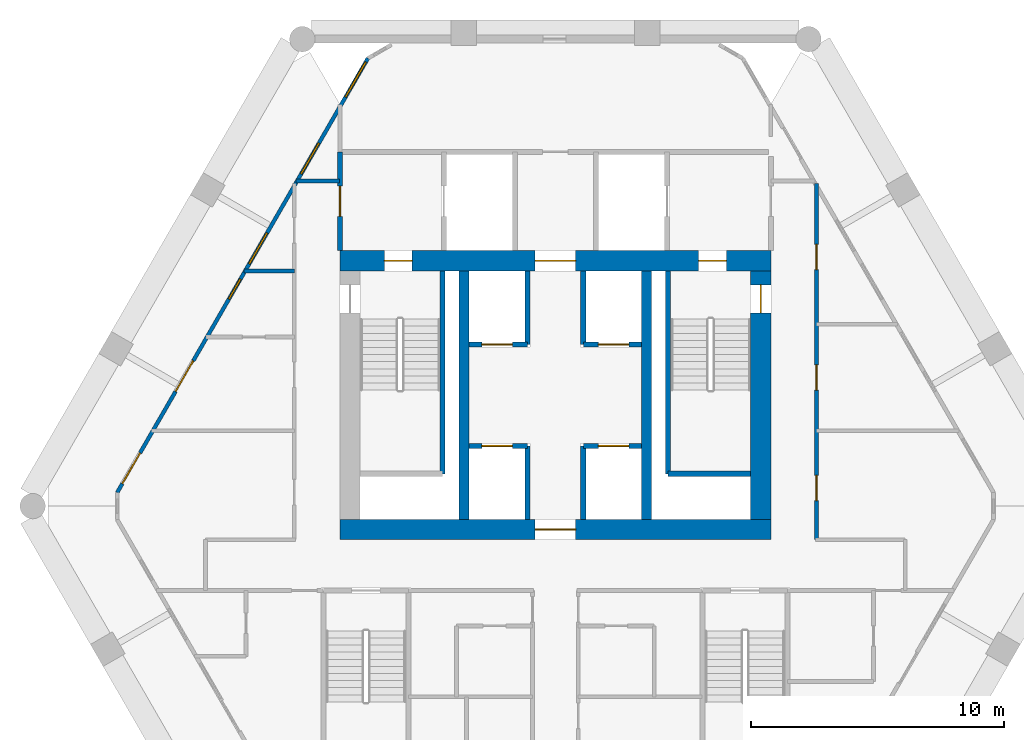
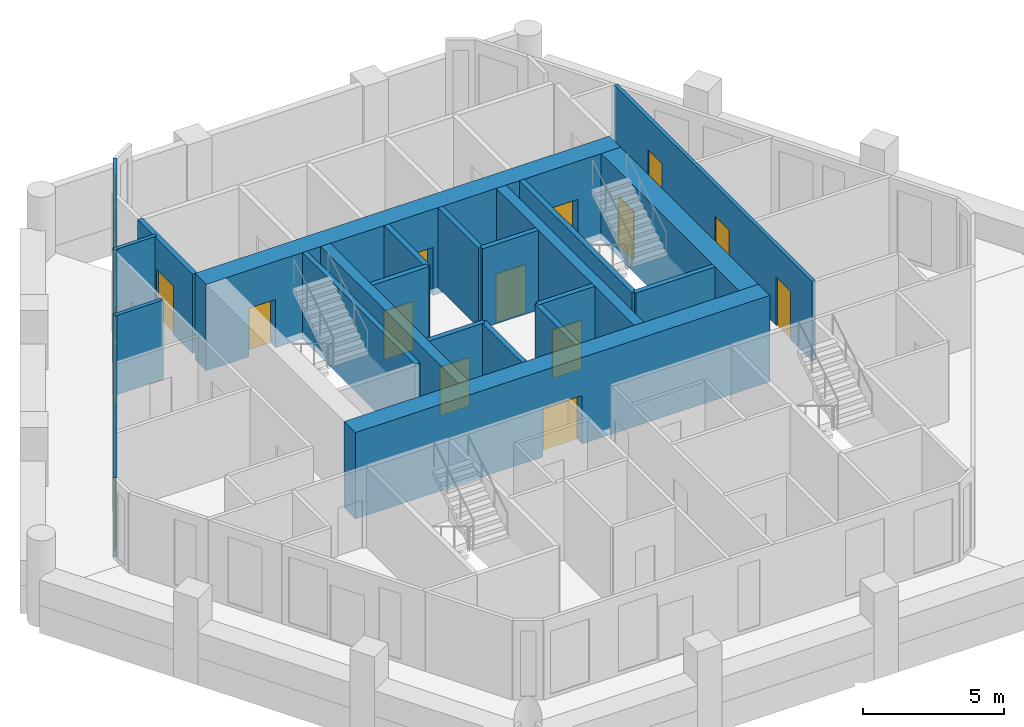
# One storey, part 4 of 7: 21 walls, 15 doors, 4 windows, 19 openings.
"""IFC4 building model written with IfcOpenShell, lengths in metres."""

from ifc_helpers import new_model, si_unit, direction, frame, frame_2d, origin, place, context, subcontext, project, spatial, rectangle, extrude, material, layer, layer_set, type_object, element, fill, save


model = new_model("IFC4")

# Units and contexts
model_context = context("Model", 3, precision=1e-05, world=origin(), true_north=direction((0.0, 1.0)))
body_context = subcontext(model_context, "Body", "Model", "MODEL_VIEW")
ifc_project = project(units=[si_unit("LENGTHUNIT", "METRE"), si_unit("AREAUNIT", "SQUARE_METRE"), si_unit("VOLUMEUNIT", "CUBIC_METRE"), si_unit("PLANEANGLEUNIT", "RADIAN"), si_unit("MASSUNIT", "GRAM", prefix="KILO")], contexts=[model_context])

# Site, building, storey
site_placement = place(None, origin())
site = spatial("IfcSite", under=ifc_project, at=site_placement, CompositionType="ELEMENT")
building_placement = place(site_placement, origin())
building = spatial("IfcBuilding", under=site, at=building_placement, Name="Ostrander Bayou Hotel Tower", CompositionType="ELEMENT")
storey_placement = place(building_placement, frame((0.0, 0.0, 172.0)))
storey = spatial("IfcBuildingStorey", under=building, at=storey_placement, Name="L42", CompositionType="ELEMENT", Elevation=172.0)

# Wall, opening, door
ifc_material_1 = material(Name="Concrete f'c 60 MPa", Category="concrete")
ifc_layer_1 = layer(ifc_material_1, 0.800048828125)
ifc_layer_set_1 = layer_set([ifc_layer_1], Name="CW7 core wall 800 mm f'c 60 MPa")
wall_type_1 = type_object("IfcWallType", Name="CW7 core wall 800 mm f'c 60 MPa", PredefinedType="SHEAR", material=ifc_layer_set_1)
wall_1_placement = place(storey_placement, frame((-8.5, -1.300048828125, -0.300048828125), z_axis=(0.0, 0.0, 1.0), x_axis=(1.0, 0.0, 0.0)))
wall_1 = element("IfcWall", 1, at=wall_1_placement, inside=storey, type_object=wall_type_1, Name="CW7 L42 S", PredefinedType="SHEAR", context=body_context, shape_type="SweptSolid", body=[
    extrude(rectangle(XDim=17.0, YDim=0.800048828125, at=frame_2d((8.5, 0.0))), origin(), (0.0, 0.0, 1.0), 3.75),
])
opening_1_placement = place(wall_1_placement, frame((7.699951171875, 0.0, 0.0)))
opening_1 = element("IfcOpeningElement", 2, at=opening_1_placement, cuts=wall_1, Name="Opening T41-005", PredefinedType="OPENING", context=body_context, shape_type="SweptSolid", body=[
    extrude(rectangle(XDim=1.60009765625, YDim=2.10009765625, at=frame_2d((0.800048828125, 1.050048828125))), frame((0.0, 0.39990234375, 0.0), z_axis=(0.0, -1.0, 0.0), x_axis=(1.0, 0.0, 0.0)), (0.0, 0.0, 1.0), 0.800048828125),
])
ifc_material_2 = material(Name="Timber door leaf", Category="wood")
door_type_1 = type_object("IfcDoorType", Name="D13 double door 1600 x 2100 mm, 1 hour", OperationType="SINGLE_SWING_LEFT", PredefinedType="DOOR", material=ifc_material_2)
door_1_placement = place(opening_1_placement, origin())
door_1 = element("IfcDoor", 3, at=door_1_placement, inside=storey, type_object=door_type_1, Name="dr:L42:005", OperationType="DOUBLE_DOOR_SINGLE_SWING", OverallHeight=2.10009765625, OverallWidth=1.60009765625, PredefinedType="DOOR", context=body_context, shape_type="SweptSolid", body=[
    extrude(rectangle(XDim=1.60009765625, YDim=2.10009765625, at=frame_2d((0.800048828125, 1.050048828125))), frame((0.0, 0.02490234375, 0.0), z_axis=(0.0, -1.0, 0.0), x_axis=(1.0, 0.0, 0.0)), (0.0, 0.0, 1.0), 0.050048828125),
])
fill(opening_1, door_1)

# Wall, openings, doors
wall_2_placement = place(storey_placement, frame((-8.5, 9.300048828125, -0.300048828125), z_axis=(0.0, 0.0, 1.0), x_axis=(1.0, 0.0, 0.0)))
wall_2 = element("IfcWall", 4, at=wall_2_placement, inside=storey, type_object=wall_type_1, Name="CW7 L42 N", PredefinedType="SHEAR", context=body_context, shape_type="SweptSolid", body=[
    extrude(rectangle(XDim=17.0, YDim=0.800048828125, at=frame_2d((8.5, 0.0))), origin(), (0.0, 0.0, 1.0), 3.75),
])
opening_2_placement = place(wall_2_placement, frame((7.699951171875, 0.0, 0.0)))
opening_2 = element("IfcOpeningElement", 5, at=opening_2_placement, cuts=wall_2, Name="Opening T41-006", PredefinedType="OPENING", context=body_context, shape_type="SweptSolid", body=[
    extrude(rectangle(XDim=1.60009765625, YDim=2.10009765625, at=frame_2d((0.800048828125, 1.050048828125))), frame((0.0, 0.39990234375, 0.0), z_axis=(0.0, -1.0, 0.0), x_axis=(1.0, 0.0, 0.0)), (0.0, 0.0, 1.0), 0.800048828125),
])
opening_3_placement = place(wall_2_placement, frame((1.75, 0.0, 0.0)))
opening_3 = element("IfcOpeningElement", 6, at=opening_3_placement, cuts=wall_2, Name="Opening T41-007", PredefinedType="OPENING", context=body_context, shape_type="SweptSolid", body=[
    extrude(rectangle(XDim=1.10009765625, YDim=2.10009765625, at=frame_2d((0.550048828125, 1.050048828125))), frame((0.0, 0.39990234375, 0.0), z_axis=(0.0, -1.0, 0.0), x_axis=(1.0, 0.0, 0.0)), (0.0, 0.0, 1.0), 0.800048828125),
])
opening_4_placement = place(wall_2_placement, frame((14.14990234375, 0.0, 0.0)))
opening_4 = element("IfcOpeningElement", 7, at=opening_4_placement, cuts=wall_2, Name="Opening T41-009", PredefinedType="OPENING", context=body_context, shape_type="SweptSolid", body=[
    extrude(rectangle(XDim=1.10009765625, YDim=2.10009765625, at=frame_2d((0.550048828125, 1.050048828125))), frame((0.0, 0.39990234375, 0.0), z_axis=(0.0, -1.0, 0.0), x_axis=(1.0, 0.0, 0.0)), (0.0, 0.0, 1.0), 0.800048828125),
])
door_2_placement = place(opening_2_placement, origin())
door_2 = element("IfcDoor", 8, at=door_2_placement, inside=storey, type_object=door_type_1, Name="dr:L42:006", OperationType="DOUBLE_DOOR_SINGLE_SWING", OverallHeight=2.10009765625, OverallWidth=1.60009765625, PredefinedType="DOOR", context=body_context, shape_type="SweptSolid", body=[
    extrude(rectangle(XDim=1.60009765625, YDim=2.10009765625, at=frame_2d((0.800048828125, 1.050048828125))), frame((0.0, 0.02490234375, 0.0), z_axis=(0.0, -1.0, 0.0), x_axis=(1.0, 0.0, 0.0)), (0.0, 0.0, 1.0), 0.050048828125),
])
fill(opening_2, door_2)
ifc_material_3 = material(Name="Timber door leaf", Category="wood")
door_type_2 = type_object("IfcDoorType", Name="D5 stair door 1100 x 2100 mm, 90 minute", OperationType="SINGLE_SWING_LEFT", PredefinedType="DOOR", material=ifc_material_3)
door_3_placement = place(opening_3_placement, origin())
door_3 = element("IfcDoor", 9, at=door_3_placement, inside=storey, type_object=door_type_2, Name="dr:L42:007", OperationType="SINGLE_SWING_LEFT", OverallHeight=2.10009765625, OverallWidth=1.10009765625, PredefinedType="DOOR", context=body_context, shape_type="SweptSolid", body=[
    extrude(rectangle(XDim=1.10009765625, YDim=2.10009765625, at=frame_2d((0.550048828125, 1.050048828125))), frame((0.0, 0.02490234375, 0.0), z_axis=(0.0, -1.0, 0.0), x_axis=(1.0, 0.0, 0.0)), (0.0, 0.0, 1.0), 0.050048828125),
])
fill(opening_3, door_3)
door_4_placement = place(opening_4_placement, origin())
door_4 = element("IfcDoor", 10, at=door_4_placement, inside=storey, type_object=door_type_2, Name="dr:L42:009", OperationType="SINGLE_SWING_RIGHT", OverallHeight=2.10009765625, OverallWidth=1.10009765625, PredefinedType="DOOR", context=body_context, shape_type="SweptSolid", body=[
    extrude(rectangle(XDim=1.10009765625, YDim=2.10009765625, at=frame_2d((0.550048828125, 1.050048828125))), frame((0.0, 0.02490234375, 0.0), z_axis=(0.0, -1.0, 0.0), x_axis=(1.0, 0.0, 0.0)), (0.0, 0.0, 1.0), 0.050048828125),
])
fill(opening_4, door_4)

# Wall, opening, door
ifc_material_4 = material(Name="Concrete f'c 60 MPa", Category="concrete")
ifc_layer_2 = layer(ifc_material_4, 0.800048828125)
ifc_layer_set_2 = layer_set([ifc_layer_2], Name="CW8 core spine wall 800 mm f'c 60 MPa")
wall_type_2 = type_object("IfcWallType", Name="CW8 core spine wall 800 mm f'c 60 MPa", PredefinedType="SHEAR", material=ifc_layer_set_2)
wall_3_placement = place(storey_placement, frame((8.10009765625, -0.89990234375, -0.300048828125), z_axis=(0.0, 0.0, 1.0), x_axis=(0.0, 1.0, 0.0)))
wall_3 = element("IfcWall", 11, at=wall_3_placement, inside=storey, type_object=wall_type_2, Name="CW8 L42 E", PredefinedType="SHEAR", context=body_context, shape_type="SweptSolid", body=[
    extrude(rectangle(XDim=9.7998046875, YDim=0.800048828125, at=frame_2d((4.89990234375, 0.0))), origin(), (0.0, 0.0, 1.0), 3.75),
])
opening_5_placement = place(wall_3_placement, frame((8.14990234375, 0.0, 0.0)))
opening_5 = element("IfcOpeningElement", 12, at=opening_5_placement, cuts=wall_3, Name="Opening T41-010", PredefinedType="OPENING", context=body_context, shape_type="SweptSolid", body=[
    extrude(rectangle(XDim=1.10009765625, YDim=2.10009765625, at=frame_2d((0.550048828125, 1.050048828125))), frame((0.0, 0.39990234375, 0.0), z_axis=(0.0, -1.0, 0.0), x_axis=(1.0, 0.0, 0.0)), (0.0, 0.0, 1.0), 0.800048828125),
])
door_5_placement = place(opening_5_placement, origin())
door_5 = element("IfcDoor", 13, at=door_5_placement, inside=storey, type_object=door_type_2, Name="dr:L42:010", OperationType="SINGLE_SWING_LEFT", OverallHeight=2.10009765625, OverallWidth=1.10009765625, PredefinedType="DOOR", context=body_context, shape_type="SweptSolid", body=[
    extrude(rectangle(XDim=1.10009765625, YDim=2.10009765625, at=frame_2d((0.550048828125, 1.050048828125))), frame((0.0, 0.02490234375, 0.0), z_axis=(0.0, -1.0, 0.0), x_axis=(1.0, 0.0, 0.0)), (0.0, 0.0, 1.0), 0.050048828125),
])
fill(opening_5, door_5)

# Walls
ifc_material_5 = material(Name="Concrete f'c 60 MPa", Category="concrete")
ifc_layer_3 = layer(ifc_material_5, 0.39990234375)
ifc_layer_set_3 = layer_set([ifc_layer_3], Name="CW9 core bank wall 400 mm f'c 60 MPa")
wall_type_3 = type_object("IfcWallType", Name="CW9 core bank wall 400 mm f'c 60 MPa", PredefinedType="SHEAR", material=ifc_layer_set_3)
for number, where, z_axis, x_axis, name in (
    (14, (-3.60009765625, -0.89990234375, -0.300048828125), (0.0, 0.0, 1.0), (0.0, 1.0, 0.0), "CW9 L42 CW"),
    (15, (3.60009765625, -0.89990234375, -0.300048828125), (0.0, 0.0, 1.0), (0.0, 1.0, 0.0), "CW9 L42 CE"),
):
    element("IfcWall", number, at=place(storey_placement, frame(where, z_axis=z_axis, x_axis=x_axis)), inside=storey, type_object=wall_type_3, Name=name, PredefinedType="SHEAR", context=body_context, shape_type="SweptSolid", body=[
        extrude(rectangle(XDim=9.7998046875, YDim=0.39990234375, at=frame_2d((4.89990234375, 0.0))), origin(), (0.0, 0.0, 1.0), 3.75),
    ])

# Wall, openings, doors, windows
ifc_material_6 = material(Name="Aluminium framed insulated wall", Category="aluminium")
ifc_layer_4 = layer(ifc_material_6, 0.14990234375)
ifc_layer_set_4 = layer_set([ifc_layer_4], Name="GW1 glass-line wall 150 mm")
wall_type_4 = type_object("IfcWallType", Name="GW1 glass-line wall 150 mm", PredefinedType="SOLIDWALL", material=ifc_layer_set_4)
wall_4_placement = place(storey_placement, frame((-7.392822265625, 17.29248046875, 0.0), z_axis=(0.0, 0.0, 1.0), x_axis=(-0.500001917853, -0.866024296509, 0.0)))
wall_4 = element("IfcWall", 16, at=wall_4_placement, inside=storey, type_object=wall_type_4, Name="GW1 L42 NW 1", PredefinedType="SOLIDWALL", context=body_context, shape_type="SweptSolid", body=[
    extrude(rectangle(XDim=19.78759765625, YDim=0.14990234375, at=frame_2d((9.893798828125, 0.0))), origin(), (0.0, 0.0, 1.0), 3.449951171875),
])
opening_6_placement = place(wall_4_placement, frame((3.867919921875, 0.0, 0.14990234375)))
opening_6 = element("IfcOpeningElement", 17, at=opening_6_placement, cuts=wall_4, Name="Opening W13", PredefinedType="OPENING", context=body_context, shape_type="SweptSolid", body=[
    extrude(rectangle(XDim=1.39990234375, YDim=2.85009765625, at=frame_2d((0.699951171875, 1.425048828125))), frame((0.0, 0.074951171875, 0.0), z_axis=(0.0, -1.0, 0.0), x_axis=(1.0, 0.0, 0.0)), (0.0, 0.0, 1.0), 0.14990234375),
])
opening_7_placement = place(wall_4_placement, frame((10.066650390625, 0.0, 0.14990234375)))
opening_7 = element("IfcOpeningElement", 18, at=opening_7_placement, cuts=wall_4, Name="Opening W17", PredefinedType="OPENING", context=body_context, shape_type="SweptSolid", body=[
    extrude(rectangle(XDim=0.89990234375, YDim=2.85009765625, at=frame_2d((0.449951171875, 1.425048828125))), frame((0.0, 0.074951171875, 0.0), z_axis=(0.0, -1.0, 0.0), x_axis=(1.0, 0.0, 0.0)), (0.0, 0.0, 1.0), 0.14990234375),
])
opening_8_placement = place(wall_4_placement, frame((7.966796875, 0.0, 0.14990234375)))
opening_8 = element("IfcOpeningElement", 19, at=opening_8_placement, cuts=wall_4, Name="Opening W13", PredefinedType="OPENING", context=body_context, shape_type="SweptSolid", body=[
    extrude(rectangle(XDim=1.39990234375, YDim=2.85009765625, at=frame_2d((0.699951171875, 1.425048828125))), frame((0.0, 0.074951171875, 0.0), z_axis=(0.0, -1.0, 0.0), x_axis=(1.0, 0.0, 0.0)), (0.0, 0.0, 1.0), 0.14990234375),
])
opening_9_placement = place(wall_4_placement, frame((13.779296875, 0.0, 0.0)))
opening_9 = element("IfcOpeningElement", 20, at=opening_9_placement, cuts=wall_4, Name="Opening T41-800", PredefinedType="OPENING", context=body_context, shape_type="SweptSolid", body=[
    extrude(rectangle(XDim=1.39990234375, YDim=2.39990234375, at=frame_2d((0.699951171875, 1.199951171875))), frame((0.0, 0.074951171875, 0.0), z_axis=(0.0, -1.0, 0.0), x_axis=(1.0, 0.0, 0.0)), (0.0, 0.0, 1.0), 0.14990234375),
])
opening_10_placement = place(wall_4_placement, frame((17.979248046875, 0.0, 0.0)))
opening_10 = element("IfcOpeningElement", 21, at=opening_10_placement, cuts=wall_4, Name="Opening T41-801", PredefinedType="OPENING", context=body_context, shape_type="SweptSolid", body=[
    extrude(rectangle(XDim=1.39990234375, YDim=2.39990234375, at=frame_2d((0.699951171875, 1.199951171875))), frame((0.0, 0.074951171875, 0.0), z_axis=(0.0, -1.0, 0.0), x_axis=(1.0, 0.0, 0.0)), (0.0, 0.0, 1.0), 0.14990234375),
])
opening_11_placement = place(wall_4_placement, frame((0.168212890625, 0.0, 0.14990234375)))
opening_11 = element("IfcOpeningElement", 22, at=opening_11_placement, cuts=wall_4, Name="Opening W3", PredefinedType="OPENING", context=body_context, shape_type="SweptSolid", body=[
    extrude(rectangle(XDim=1.60009765625, YDim=2.72998046875, at=frame_2d((0.800048828125, 1.364990234375))), frame((0.0, 0.074951171875, 0.0), z_axis=(0.0, -1.0, 0.0), x_axis=(1.0, 0.0, 0.0)), (0.0, 0.0, 1.0), 0.14990234375),
])
ifc_material_7 = material(Name="Aluminium and clear glass", Category="aluminium")
door_type_3 = type_object("IfcDoorType", Name="SD3 sliding glass door 1400 mm, zone 3", OperationType="SLIDING_TO_LEFT", PredefinedType="DOOR", material=ifc_material_7)
door_6_placement = place(opening_9_placement, origin())
door_6 = element("IfcDoor", 23, at=door_6_placement, inside=storey, type_object=door_type_3, Name="SD3 L42 NW 3", OperationType="SLIDING_TO_LEFT", OverallHeight=2.39990234375, OverallWidth=1.39990234375, PredefinedType="DOOR", context=body_context, shape_type="SweptSolid", body=[
    extrude(rectangle(XDim=1.39990234375, YDim=2.39990234375, at=frame_2d((0.699951171875, 1.199951171875))), frame((0.0, 0.02490234375, 0.0), z_axis=(0.0, -1.0, 0.0), x_axis=(1.0, 0.0, 0.0)), (0.0, 0.0, 1.0), 0.050048828125),
])
fill(opening_9, door_6)
door_7_placement = place(opening_10_placement, origin())
door_7 = element("IfcDoor", 24, at=door_7_placement, inside=storey, type_object=door_type_3, Name="SD3 L42 NW 4", OperationType="SLIDING_TO_RIGHT", OverallHeight=2.39990234375, OverallWidth=1.39990234375, PredefinedType="DOOR", context=body_context, shape_type="SweptSolid", body=[
    extrude(rectangle(XDim=1.39990234375, YDim=2.39990234375, at=frame_2d((0.699951171875, 1.199951171875))), frame((0.0, 0.02490234375, 0.0), z_axis=(0.0, -1.0, 0.0), x_axis=(1.0, 0.0, 0.0)), (0.0, 0.0, 1.0), 0.050048828125),
])
fill(opening_10, door_7)
ifc_material_8 = material(Name="Aluminium and clear glass", Category="aluminium")
window_type_1 = type_object("IfcWindowType", Name="W13 fixed window 1400 mm, bath bay, zone 3", PartitioningType="SINGLE_PANEL", PredefinedType="WINDOW", material=ifc_material_8)
window_1_placement = place(opening_6_placement, origin())
window_1 = element("IfcWindow", 25, at=window_1_placement, inside=storey, type_object=window_type_1, Name="W13 L42 NW 1", OverallHeight=2.85009765625, OverallWidth=1.39990234375, PartitioningType="SINGLE_PANEL", PredefinedType="WINDOW", context=body_context, shape_type="SweptSolid", body=[
    extrude(rectangle(XDim=1.39990234375, YDim=2.85009765625, at=frame_2d((0.699951171875, 1.425048828125))), frame((0.0, 0.030029296875, 0.0), z_axis=(0.0, -1.0, 0.0), x_axis=(1.0, 0.0, 0.0)), (0.0, 0.0, 1.0), 0.06005859375),
])
fill(opening_6, window_1)
window_2_placement = place(opening_8_placement, origin())
window_2 = element("IfcWindow", 26, at=window_2_placement, inside=storey, type_object=window_type_1, Name="W13 L42 NW 2", OverallHeight=2.85009765625, OverallWidth=1.39990234375, PartitioningType="SINGLE_PANEL", PredefinedType="WINDOW", context=body_context, shape_type="SweptSolid", body=[
    extrude(rectangle(XDim=1.39990234375, YDim=2.85009765625, at=frame_2d((0.699951171875, 1.425048828125))), frame((0.0, 0.030029296875, 0.0), z_axis=(0.0, -1.0, 0.0), x_axis=(1.0, 0.0, 0.0)), (0.0, 0.0, 1.0), 0.06005859375),
])
fill(opening_8, window_2)
ifc_material_9 = material(Name="Aluminium and clear glass", Category="aluminium")
window_type_2 = type_object("IfcWindowType", Name="W17 window 900 mm, zone 3", PartitioningType="SINGLE_PANEL", PredefinedType="WINDOW", material=ifc_material_9)
window_3_placement = place(opening_7_placement, origin())
window_3 = element("IfcWindow", 27, at=window_3_placement, inside=storey, type_object=window_type_2, Name="W17 L42 NW 2", OverallHeight=2.85009765625, OverallWidth=0.89990234375, PartitioningType="SINGLE_PANEL", PredefinedType="WINDOW", context=body_context, shape_type="SweptSolid", body=[
    extrude(rectangle(XDim=0.89990234375, YDim=2.85009765625, at=frame_2d((0.449951171875, 1.425048828125))), frame((0.0, 0.030029296875, 0.0), z_axis=(0.0, -1.0, 0.0), x_axis=(1.0, 0.0, 0.0)), (0.0, 0.0, 1.0), 0.06005859375),
])
fill(opening_7, window_3)
ifc_material_10 = material(Name="Aluminium and clear glass", Category="aluminium")
window_type_3 = type_object("IfcWindowType", Name="W3 fixed window 1600 mm, zone 3", PartitioningType="SINGLE_PANEL", PredefinedType="WINDOW", material=ifc_material_10)
window_4_placement = place(opening_11_placement, origin())
window_4 = element("IfcWindow", 28, at=window_4_placement, inside=storey, type_object=window_type_3, Name="W3 L42 NW E11", OverallHeight=2.72998046875, OverallWidth=1.60009765625, PartitioningType="SINGLE_PANEL", PredefinedType="WINDOW", context=body_context, shape_type="SweptSolid", body=[
    extrude(rectangle(XDim=1.60009765625, YDim=2.72998046875, at=frame_2d((0.800048828125, 1.364990234375))), frame((0.0, 0.030029296875, 0.0), z_axis=(0.0, -1.0, 0.0), x_axis=(1.0, 0.0, 0.0)), (0.0, 0.0, 1.0), 0.06005859375),
])
fill(opening_11, window_4)

# Wall, opening, door
ifc_material_11 = material(Name="Masonry block", Category="masonry")
ifc_layer_5 = layer(ifc_material_11, 0.199951171875)
ifc_layer_set_5 = layer_set([ifc_layer_5], Name="PT5 stair enclosure wall 200 mm masonry, 2 hour")
wall_type_5 = type_object("IfcWallType", Name="PT5 stair enclosure wall 200 mm masonry, 2 hour", PredefinedType="PARTITIONING", material=ifc_layer_set_5)
wall_5_placement = place(storey_placement, frame((-8.5, 9.699951171875, 0.0), z_axis=(0.0, 0.0, 1.0), x_axis=(0.0, 1.0, 0.0)))
wall_5 = element("IfcWall", 29, at=wall_5_placement, inside=storey, type_object=wall_type_5, Name="cs:L42:024", PredefinedType="PARTITIONING", context=body_context, shape_type="SweptSolid", body=[
    extrude(rectangle(XDim=3.900146484375, YDim=0.199951171875, at=frame_2d((1.9501953125, 0.0))), origin(), (0.0, 0.0, 1.0), 3.449951171875),
])
opening_12_placement = place(wall_5_placement, frame((1.35009765625, 0.0, 0.0)))
opening_12 = element("IfcOpeningElement", 30, at=opening_12_placement, cuts=wall_5, Name="Opening T41-014", PredefinedType="OPENING", context=body_context, shape_type="SweptSolid", body=[
    extrude(rectangle(XDim=1.199951171875, YDim=2.10009765625, at=frame_2d((0.60009765625, 1.050048828125))), frame((0.0, 0.10009765625, 0.0), z_axis=(0.0, -1.0, 0.0), x_axis=(1.0, 0.0, 0.0)), (0.0, 0.0, 1.0), 0.199951171875),
])
ifc_material_12 = material(Name="Timber door leaf", Category="wood")
door_type_4 = type_object("IfcDoorType", Name="D7 lobby door 1200 x 2100 mm, 1 hour", OperationType="SINGLE_SWING_LEFT", PredefinedType="DOOR", material=ifc_material_12)
door_8_placement = place(opening_12_placement, origin())
door_8 = element("IfcDoor", 31, at=door_8_placement, inside=storey, type_object=door_type_4, Name="dr:L42:014", OperationType="SINGLE_SWING_LEFT", OverallHeight=2.10009765625, OverallWidth=1.199951171875, PredefinedType="DOOR", context=body_context, shape_type="SweptSolid", body=[
    extrude(rectangle(XDim=1.199951171875, YDim=2.10009765625, at=frame_2d((0.60009765625, 1.050048828125))), frame((0.0, 0.02490234375, 0.0), z_axis=(0.0, -1.0, 0.0), x_axis=(1.0, 0.0, 0.0)), (0.0, 0.0, 1.0), 0.050048828125),
])
fill(opening_12, door_8)

ifc_material_13 = material(Name="Masonry block", Category="masonry")
ifc_layer_6 = layer(ifc_material_13, 0.199951171875)
ifc_layer_set_6 = layer_set([ifc_layer_6], Name="PT6 lift shaft wall 200 mm masonry, 2 hour")
wall_type_6 = type_object("IfcWallType", Name="PT6 lift shaft wall 200 mm masonry, 2 hour", PredefinedType="PARTITIONING", material=ifc_layer_set_6)
wall_6_placement = place(storey_placement, frame((-3.39990234375, 2.0, 0.0), z_axis=(0.0, 0.0, 1.0), x_axis=(1.0, 0.0, 0.0)))
wall_6 = element("IfcWall", 32, at=wall_6_placement, inside=storey, type_object=wall_type_6, Name="cs:L42:001", PredefinedType="PARTITIONING", context=body_context, shape_type="SweptSolid", body=[
    extrude(rectangle(XDim=2.2998046875, YDim=0.199951171875, at=frame_2d((1.14990234375, 0.0))), origin(), (0.0, 0.0, 1.0), 3.449951171875),
])
opening_13_placement = place(wall_6_placement, frame((0.5, 0.0, 0.0)))
opening_13 = element("IfcOpeningElement", 33, at=opening_13_placement, cuts=wall_6, Name="Opening T41-001", PredefinedType="OPENING", context=body_context, shape_type="SweptSolid", body=[
    extrude(rectangle(XDim=1.199951171875, YDim=2.10009765625, at=frame_2d((0.60009765625, 1.050048828125))), frame((0.0, 0.10009765625, 0.0), z_axis=(0.0, -1.0, 0.0), x_axis=(1.0, 0.0, 0.0)), (0.0, 0.0, 1.0), 0.199951171875),
])
ifc_material_14 = material(Name="Stainless steel sliding door", Category="steel")
door_type_5 = type_object("IfcDoorType", Name="LD1 lift landing door 1200 x 2100 mm", OperationType="SINGLE_SWING_LEFT", PredefinedType="DOOR", material=ifc_material_14)
door_9_placement = place(opening_13_placement, origin())
door_9 = element("IfcDoor", 34, at=door_9_placement, inside=storey, type_object=door_type_5, Name="dr:L42:001", OperationType="SLIDING_TO_LEFT", OverallHeight=2.10009765625, OverallWidth=1.199951171875, PredefinedType="DOOR", context=body_context, shape_type="SweptSolid", body=[
    extrude(rectangle(XDim=1.199951171875, YDim=2.10009765625, at=frame_2d((0.60009765625, 1.050048828125))), frame((0.0, 0.02490234375, 0.0), z_axis=(0.0, -1.0, 0.0), x_axis=(1.0, 0.0, 0.0)), (0.0, 0.0, 1.0), 0.050048828125),
])
fill(opening_13, door_9)

wall_7_placement = place(storey_placement, frame((-3.39990234375, 6.0, 0.0), z_axis=(0.0, 0.0, 1.0), x_axis=(1.0, 0.0, 0.0)))
wall_7 = element("IfcWall", 35, at=wall_7_placement, inside=storey, type_object=wall_type_6, Name="cs:L42:002", PredefinedType="PARTITIONING", context=body_context, shape_type="SweptSolid", body=[
    extrude(rectangle(XDim=2.2998046875, YDim=0.199951171875, at=frame_2d((1.14990234375, 0.0))), origin(), (0.0, 0.0, 1.0), 3.449951171875),
])
opening_14_placement = place(wall_7_placement, frame((0.5, 0.0, 0.0)))
opening_14 = element("IfcOpeningElement", 36, at=opening_14_placement, cuts=wall_7, Name="Opening T41-003", PredefinedType="OPENING", context=body_context, shape_type="SweptSolid", body=[
    extrude(rectangle(XDim=1.199951171875, YDim=2.10009765625, at=frame_2d((0.60009765625, 1.050048828125))), frame((0.0, 0.10009765625, 0.0), z_axis=(0.0, -1.0, 0.0), x_axis=(1.0, 0.0, 0.0)), (0.0, 0.0, 1.0), 0.199951171875),
])
door_10_placement = place(opening_14_placement, origin())
door_10 = element("IfcDoor", 37, at=door_10_placement, inside=storey, type_object=door_type_5, Name="dr:L42:003", OperationType="SLIDING_TO_LEFT", OverallHeight=2.10009765625, OverallWidth=1.199951171875, PredefinedType="DOOR", context=body_context, shape_type="SweptSolid", body=[
    extrude(rectangle(XDim=1.199951171875, YDim=2.10009765625, at=frame_2d((0.60009765625, 1.050048828125))), frame((0.0, 0.02490234375, 0.0), z_axis=(0.0, -1.0, 0.0), x_axis=(1.0, 0.0, 0.0)), (0.0, 0.0, 1.0), 0.050048828125),
])
fill(opening_14, door_10)

wall_8_placement = place(storey_placement, frame((1.10009765625, 2.0, 0.0), z_axis=(0.0, 0.0, 1.0), x_axis=(1.0, 0.0, 0.0)))
wall_8 = element("IfcWall", 38, at=wall_8_placement, inside=storey, type_object=wall_type_6, Name="cs:L42:003", PredefinedType="PARTITIONING", context=body_context, shape_type="SweptSolid", body=[
    extrude(rectangle(XDim=2.2998046875, YDim=0.199951171875, at=frame_2d((1.14990234375, 0.0))), origin(), (0.0, 0.0, 1.0), 3.449951171875),
])
opening_15_placement = place(wall_8_placement, frame((0.60009765625, 0.0, 0.0)))
opening_15 = element("IfcOpeningElement", 39, at=opening_15_placement, cuts=wall_8, Name="Opening T41-002", PredefinedType="OPENING", context=body_context, shape_type="SweptSolid", body=[
    extrude(rectangle(XDim=1.199951171875, YDim=2.10009765625, at=frame_2d((0.60009765625, 1.050048828125))), frame((0.0, 0.10009765625, 0.0), z_axis=(0.0, -1.0, 0.0), x_axis=(1.0, 0.0, 0.0)), (0.0, 0.0, 1.0), 0.199951171875),
])
door_11_placement = place(opening_15_placement, origin())
door_11 = element("IfcDoor", 40, at=door_11_placement, inside=storey, type_object=door_type_5, Name="dr:L42:002", OperationType="SLIDING_TO_LEFT", OverallHeight=2.10009765625, OverallWidth=1.199951171875, PredefinedType="DOOR", context=body_context, shape_type="SweptSolid", body=[
    extrude(rectangle(XDim=1.199951171875, YDim=2.10009765625, at=frame_2d((0.60009765625, 1.050048828125))), frame((0.0, 0.02490234375, 0.0), z_axis=(0.0, -1.0, 0.0), x_axis=(1.0, 0.0, 0.0)), (0.0, 0.0, 1.0), 0.050048828125),
])
fill(opening_15, door_11)

wall_9_placement = place(storey_placement, frame((1.10009765625, 6.0, 0.0), z_axis=(0.0, 0.0, 1.0), x_axis=(1.0, 0.0, 0.0)))
wall_9 = element("IfcWall", 41, at=wall_9_placement, inside=storey, type_object=wall_type_6, Name="cs:L42:004", PredefinedType="PARTITIONING", context=body_context, shape_type="SweptSolid", body=[
    extrude(rectangle(XDim=2.2998046875, YDim=0.199951171875, at=frame_2d((1.14990234375, 0.0))), origin(), (0.0, 0.0, 1.0), 3.449951171875),
])
opening_16_placement = place(wall_9_placement, frame((0.60009765625, 0.0, 0.0)))
opening_16 = element("IfcOpeningElement", 42, at=opening_16_placement, cuts=wall_9, Name="Opening T41-004", PredefinedType="OPENING", context=body_context, shape_type="SweptSolid", body=[
    extrude(rectangle(XDim=1.199951171875, YDim=2.10009765625, at=frame_2d((0.60009765625, 1.050048828125))), frame((0.0, 0.10009765625, 0.0), z_axis=(0.0, -1.0, 0.0), x_axis=(1.0, 0.0, 0.0)), (0.0, 0.0, 1.0), 0.199951171875),
])
door_12_placement = place(opening_16_placement, origin())
door_12 = element("IfcDoor", 43, at=door_12_placement, inside=storey, type_object=door_type_5, Name="dr:L42:004", OperationType="SLIDING_TO_LEFT", OverallHeight=2.10009765625, OverallWidth=1.199951171875, PredefinedType="DOOR", context=body_context, shape_type="SweptSolid", body=[
    extrude(rectangle(XDim=1.199951171875, YDim=2.10009765625, at=frame_2d((0.60009765625, 1.050048828125))), frame((0.0, 0.02490234375, 0.0), z_axis=(0.0, -1.0, 0.0), x_axis=(1.0, 0.0, 0.0)), (0.0, 0.0, 1.0), 0.050048828125),
])
fill(opening_16, door_12)

# Walls
for number, where, z_axis, x_axis, name in (
    (44, (-1.10009765625, -0.89990234375, 0.0), (0.0, 0.0, 1.0), (0.0, 1.0, 0.0), "cs:L42:005"),
    (45, (1.10009765625, -0.89990234375, 0.0), (0.0, 0.0, 1.0), (0.0, 1.0, 0.0), "cs:L42:006"),
    (46, (-1.10009765625, 6.0, 0.0), (0.0, 0.0, 1.0), (0.0, 1.0, 0.0), "cs:L42:007"),
    (47, (1.10009765625, 6.0, 0.0), (0.0, 0.0, 1.0), (0.0, 1.0, 0.0), "cs:L42:008"),
):
    element("IfcWall", number, at=place(storey_placement, frame(where, z_axis=z_axis, x_axis=x_axis)), inside=storey, type_object=wall_type_6, Name=name, PredefinedType="PARTITIONING", context=body_context, shape_type="SweptSolid", body=[
        extrude(rectangle(XDim=2.89990234375, YDim=0.199951171875, at=frame_2d((1.449951171875, 0.0))), origin(), (0.0, 0.0, 1.0), 3.449951171875),
    ])
ifc_material_15 = material(Name="Gypsum board partition", Category="finish")
ifc_layer_7 = layer(ifc_material_15, 0.14990234375)
ifc_layer_set_7 = layer_set([ifc_layer_7], Name="PT8 service band wall 150 mm, 1 hour")
wall_type_7 = type_object("IfcWallType", Name="PT8 service band wall 150 mm, 1 hour", PredefinedType="PARTITIONING", material=ifc_layer_set_7)
wall_10_placement = place(storey_placement, frame((-12.2900390625, 8.89990234375, 0.0), z_axis=(0.0, 0.0, 1.0), x_axis=(1.0, 0.0, 0.0)))
element("IfcWall", 48, at=wall_10_placement, inside=storey, type_object=wall_type_7, Name="gw:L42:020", PredefinedType="PARTITIONING", context=body_context, shape_type="SweptSolid", body=[
    extrude(rectangle(XDim=1.989990234375, YDim=0.14990234375, at=frame_2d((0.9951171875, 0.0))), origin(), (0.0, 0.0, 1.0), 3.449951171875),
])
wall_11_placement = place(storey_placement, frame((-10.240966796875, 12.449951171875, 0.0), z_axis=(0.0, 0.0, 1.0), x_axis=(1.0, 0.0, 0.0)))
element("IfcWall", 49, at=wall_11_placement, inside=storey, type_object=wall_type_7, Name="gw:L42:021", PredefinedType="PARTITIONING", context=body_context, shape_type="SweptSolid", body=[
    extrude(rectangle(XDim=1.73095703125, YDim=0.14990234375, at=frame_2d((0.865478515625, 0.0))), origin(), (0.0, 0.0, 1.0), 3.449951171875),
])

# Wall, openings, doors
wall_12_placement = place(storey_placement, frame((10.300048828125, -1.699951171875, 0.0), z_axis=(0.0, 0.0, 1.0), x_axis=(0.0, 1.0, 0.0)))
wall_12 = element("IfcWall", 50, at=wall_12_placement, inside=storey, type_object=wall_type_7, Name="gw:L42:025", PredefinedType="PARTITIONING", context=body_context, shape_type="SweptSolid", body=[
    extrude(rectangle(XDim=14.046875, YDim=0.14990234375, at=frame_2d((7.0234375, 0.0))), origin(), (0.0, 0.0, 1.0), 3.449951171875),
])
opening_17_placement = place(wall_12_placement, frame((1.535888671875, 0.0, 0.0)))
opening_17 = element("IfcOpeningElement", 51, at=opening_17_placement, cuts=wall_12, Name="Opening T41-416", PredefinedType="OPENING", context=body_context, shape_type="SweptSolid", body=[
    extrude(rectangle(XDim=1.0, YDim=2.10009765625, at=frame_2d((0.5, 1.050048828125))), frame((0.0, 0.074951171875, 0.0), z_axis=(0.0, -1.0, 0.0), x_axis=(1.0, 0.0, 0.0)), (0.0, 0.0, 1.0), 0.14990234375),
])
opening_18_placement = place(wall_12_placement, frame((5.89990234375, 0.0, 0.0)))
opening_18 = element("IfcOpeningElement", 52, at=opening_18_placement, cuts=wall_12, Name="Opening T41-417", PredefinedType="OPENING", context=body_context, shape_type="SweptSolid", body=[
    extrude(rectangle(XDim=1.0, YDim=2.10009765625, at=frame_2d((0.5, 1.050048828125))), frame((0.0, 0.074951171875, 0.0), z_axis=(0.0, -1.0, 0.0), x_axis=(1.0, 0.0, 0.0)), (0.0, 0.0, 1.0), 0.14990234375),
])
opening_19_placement = place(wall_12_placement, frame((10.652099609375, 0.0, 0.0)))
opening_19 = element("IfcOpeningElement", 53, at=opening_19_placement, cuts=wall_12, Name="Opening T41-418", PredefinedType="OPENING", context=body_context, shape_type="SweptSolid", body=[
    extrude(rectangle(XDim=1.0, YDim=2.10009765625, at=frame_2d((0.5, 1.050048828125))), frame((0.0, 0.074951171875, 0.0), z_axis=(0.0, -1.0, 0.0), x_axis=(1.0, 0.0, 0.0)), (0.0, 0.0, 1.0), 0.14990234375),
])
ifc_material_16 = material(Name="Timber door leaf", Category="wood")
door_type_6 = type_object("IfcDoorType", Name="D15 room door 1000 x 2100 mm", OperationType="SINGLE_SWING_LEFT", PredefinedType="DOOR", material=ifc_material_16)
door_13_placement = place(opening_17_placement, origin())
door_13 = element("IfcDoor", 54, at=door_13_placement, inside=storey, type_object=door_type_6, Name="dr:L42:416", OperationType="SINGLE_SWING_LEFT", OverallHeight=2.10009765625, OverallWidth=1.0, PredefinedType="DOOR", context=body_context, shape_type="SweptSolid", body=[
    extrude(rectangle(XDim=1.0, YDim=2.10009765625, at=frame_2d((0.5, 1.050048828125))), frame((0.0, 0.02490234375, 0.0), z_axis=(0.0, -1.0, 0.0), x_axis=(1.0, 0.0, 0.0)), (0.0, 0.0, 1.0), 0.050048828125),
])
fill(opening_17, door_13)
ifc_material_17 = material(Name="Timber door leaf", Category="wood")
door_type_7 = type_object("IfcDoorType", Name="D9 service door 1000 x 2100 mm, 30 minute", OperationType="SINGLE_SWING_LEFT", PredefinedType="DOOR", material=ifc_material_17)
door_14_placement = place(opening_18_placement, origin())
door_14 = element("IfcDoor", 55, at=door_14_placement, inside=storey, type_object=door_type_7, Name="dr:L42:417", OperationType="SINGLE_SWING_LEFT", OverallHeight=2.10009765625, OverallWidth=1.0, PredefinedType="DOOR", context=body_context, shape_type="SweptSolid", body=[
    extrude(rectangle(XDim=1.0, YDim=2.10009765625, at=frame_2d((0.5, 1.050048828125))), frame((0.0, 0.02490234375, 0.0), z_axis=(0.0, -1.0, 0.0), x_axis=(1.0, 0.0, 0.0)), (0.0, 0.0, 1.0), 0.050048828125),
])
fill(opening_18, door_14)
door_15_placement = place(opening_19_placement, origin())
door_15 = element("IfcDoor", 56, at=door_15_placement, inside=storey, type_object=door_type_7, Name="dr:L42:418", OperationType="SINGLE_SWING_LEFT", OverallHeight=2.10009765625, OverallWidth=1.0, PredefinedType="DOOR", context=body_context, shape_type="SweptSolid", body=[
    extrude(rectangle(XDim=1.0, YDim=2.10009765625, at=frame_2d((0.5, 1.050048828125))), frame((0.0, 0.02490234375, 0.0), z_axis=(0.0, -1.0, 0.0), x_axis=(1.0, 0.0, 0.0)), (0.0, 0.0, 1.0), 0.050048828125),
])
fill(opening_19, door_15)

# Walls
ifc_material_18 = material(Name="Concrete f'c 45 MPa", Category="concrete")
ifc_layer_8 = layer(ifc_material_18, 0.199951171875)
ifc_layer_set_8 = layer_set([ifc_layer_8], Name="SW5 stair enclosure wall 200 mm f'c 45 MPa")
wall_type_8 = type_object("IfcWallType", Name="SW5 stair enclosure wall 200 mm f'c 45 MPa", PredefinedType="SOLIDWALL", material=ifc_layer_set_8)
for number, where, z_axis, x_axis, name in (
    (57, (-4.449951171875, 0.89990234375, -0.300048828125), (0.0, 0.0, 1.0), (0.0, 1.0, 0.0), "cs:L42:009"),
    (58, (4.449951171875, 0.89990234375, -0.300048828125), (0.0, 0.0, 1.0), (0.0, 1.0, 0.0), "cs:L42:011"),
):
    element("IfcWall", number, at=place(storey_placement, frame(where, z_axis=z_axis, x_axis=x_axis)), inside=storey, type_object=wall_type_8, Name=name, PredefinedType="SOLIDWALL", context=body_context, shape_type="SweptSolid", body=[
        extrude(rectangle(XDim=8.0, YDim=0.199951171875, at=frame_2d((4.0, 0.0))), origin(), (0.0, 0.0, 1.0), 3.75),
    ])
wall_13_placement = place(storey_placement, frame((4.449951171875, 0.89990234375, -0.300048828125), z_axis=(0.0, 0.0, 1.0), x_axis=(1.0, 0.0, 0.0)))
element("IfcWall", 59, at=wall_13_placement, inside=storey, type_object=wall_type_8, Name="cs:L42:012", PredefinedType="SOLIDWALL", context=body_context, shape_type="SweptSolid", body=[
    extrude(rectangle(XDim=3.25, YDim=0.199951171875, at=frame_2d((1.625, 0.0))), origin(), (0.0, 0.0, 1.0), 3.75),
])

save(model, "model.ifc")
